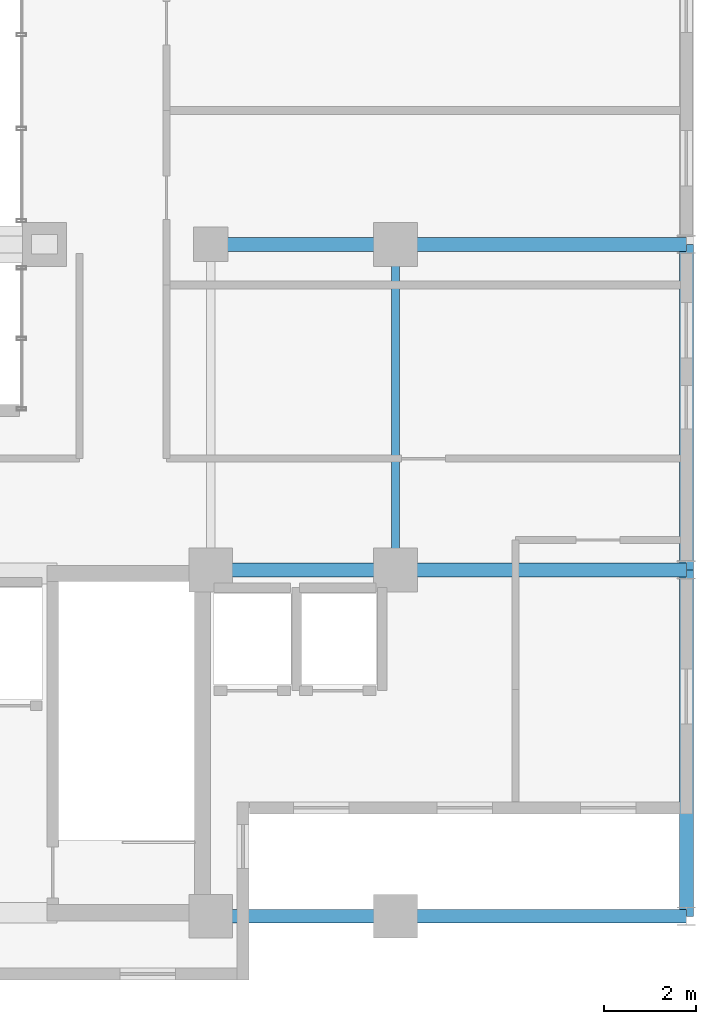
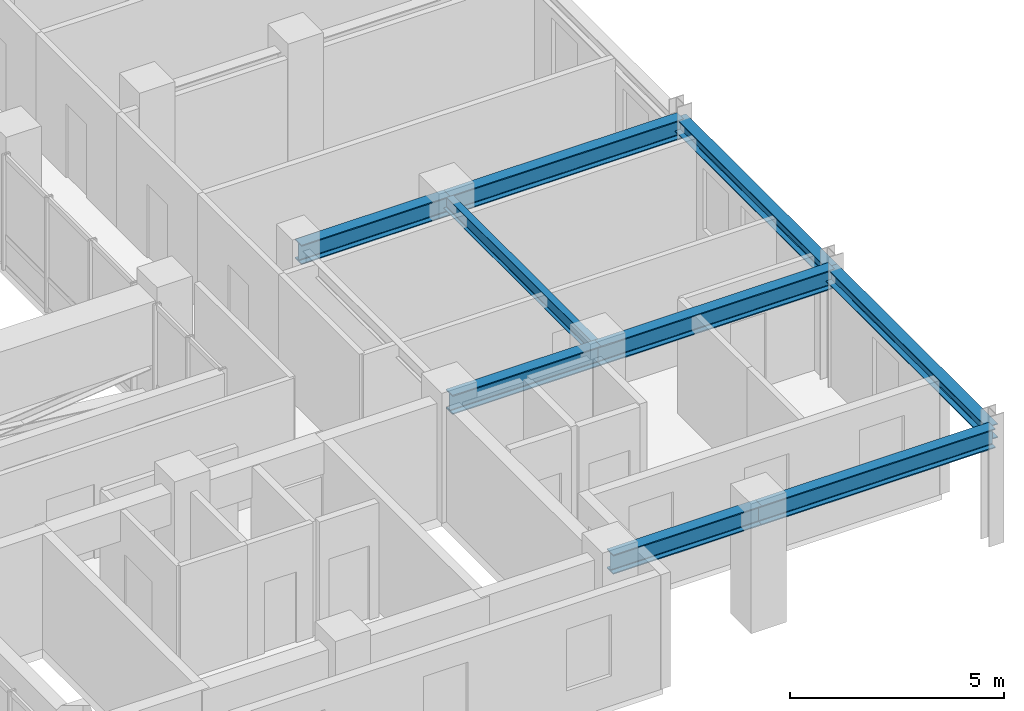
# One storey, part 9 of 23: 9 beams.
"""IFC4 building model written with IfcOpenShell, lengths in metres."""

from ifc_helpers import new_model, si_unit, direction, frame, origin, origin_2d, place, context, subcontext, project, spatial, i_section, extrude, source, transform, mapped, material, material_profile, profile_set, type_object, element, save


model = new_model("IFC4")

# Units and contexts
model_context = context("Model", 3, precision=1e-05, world=origin(), true_north=direction((0.0, 1.0)))
body_context = subcontext(model_context, "Body", "Model", "MODEL_VIEW")
ifc_project = project(units=[si_unit("LENGTHUNIT", "METRE"), si_unit("AREAUNIT", "SQUARE_METRE"), si_unit("VOLUMEUNIT", "CUBIC_METRE"), si_unit("PLANEANGLEUNIT", "RADIAN"), si_unit("MASSUNIT", "GRAM", prefix="KILO")], contexts=[model_context])

# Site, building, storey
site_placement = place(None, origin())
site = spatial("IfcSite", under=ifc_project, at=site_placement, CompositionType="ELEMENT")
building_placement = place(site_placement, origin())
building = spatial("IfcBuilding", under=site, at=building_placement, Name="Kaliganga Portal Commons", CompositionType="ELEMENT")
storey_placement = place(building_placement, frame((0.0, 0.0, 246.199951171875)))
storey = spatial("IfcBuildingStorey", under=building, at=storey_placement, Name="L63", CompositionType="ELEMENT", Elevation=246.199951171875)

# Beams
ifc_material = material(Name="Structural steel S355J2", Category="steel")
ifc_material_profile_1 = material_profile(ifc_material, i_section(OverallWidth=0.300048828125, OverallDepth=0.550048828125, WebThickness=0.014892578125, FlangeThickness=0.029052734375, FilletRadius=0.027099609375, at=origin_2d()), Name="HE 550 B")
ifc_profile_set_1 = profile_set([ifc_material_profile_1], Name="Structural steel S355J2 wide-flange")
beam_type_1 = type_object("IfcBeamType", Name="BM-GIRD-550", PredefinedType="USERDEFINED", material=ifc_profile_set_1)
shared_shape_1 = source(origin(), body_context, "Body", "SweptSolid", [
    extrude(i_section(OverallWidth=0.300048828125, OverallDepth=0.550048828125, WebThickness=0.014892578125, FlangeThickness=0.029052734375, FilletRadius=0.027099609375, at=origin_2d()), origin(), (0.0, 0.0, 1.0), 4.0),
])
for number, where, z_axis, x_axis, name in (
    (1, (50.39990234375, 7.050048828125, 3.005126953125), (1.0, 0.0, 0.0), (0.0, 1.0, 0.0), "BM G L63 BKE70 1"),
    (2, (50.39990234375, 14.550048828125, 3.005126953125), (1.0, 0.0, 0.0), (0.0, 1.0, 0.0), "BM G L63 BKE146 1"),
    (3, (50.39990234375, 21.60009765625, 3.005126953125), (1.0, 0.0, 0.0), (0.0, 1.0, 0.0), "BM G L63 BKE216 1"),
):
    element("IfcBeam", number, at=place(storey_placement, frame(where, z_axis=z_axis, x_axis=x_axis)), inside=storey, type_object=beam_type_1, Name=name, ObjectType="GIRDER", PredefinedType="USERDEFINED", context=body_context, shape_type="MappedRepresentation", body=[
        mapped(shared_shape_1, transform((0.0, 0.0, 0.0), x_axis=(1.0, 0.0, 0.0), y_axis=(0.0, 1.0, 0.0), z_axis=(0.0, 0.0, 1.0), scale=1.0)),
    ])
shared_shape_2 = source(origin(), body_context, "Body", "SweptSolid", [
    extrude(i_section(OverallWidth=0.300048828125, OverallDepth=0.550048828125, WebThickness=0.014892578125, FlangeThickness=0.029052734375, FilletRadius=0.027099609375, at=origin_2d()), origin(), (0.0, 0.0, 1.0), 6.300048828125),
])
for number, where, z_axis, x_axis, name in (
    (4, (54.39990234375, 7.050048828125, 3.005126953125), (1.0, 0.0, 0.0), (0.0, 1.0, 0.0), "BM G L63 BKE70 2"),
    (5, (54.39990234375, 14.550048828125, 3.005126953125), (1.0, 0.0, 0.0), (0.0, 1.0, 0.0), "BM G L63 BKE146 2"),
    (6, (54.39990234375, 21.60009765625, 3.005126953125), (1.0, 0.0, 0.0), (0.0, 1.0, 0.0), "BM G L63 BKE216 2"),
):
    element("IfcBeam", number, at=place(storey_placement, frame(where, z_axis=z_axis, x_axis=x_axis)), inside=storey, type_object=beam_type_1, Name=name, ObjectType="GIRDER", PredefinedType="USERDEFINED", context=body_context, shape_type="MappedRepresentation", body=[
        mapped(shared_shape_2, transform((0.0, 0.0, 0.0), x_axis=(1.0, 0.0, 0.0), y_axis=(0.0, 1.0, 0.0), z_axis=(0.0, 0.0, 1.0), scale=1.0)),
    ])
ifc_material_profile_2 = material_profile(ifc_material, i_section(OverallWidth=0.300048828125, OverallDepth=0.39990234375, WebThickness=0.013427734375, FlangeThickness=0.02392578125, FilletRadius=0.027099609375, at=origin_2d()), Name="HE 400 B")
ifc_profile_set_2 = profile_set([ifc_material_profile_2], Name="Structural steel S355J2 wide-flange")
beam_type_2 = type_object("IfcBeamType", Name="BM-SPAND-400", PredefinedType="SPANDREL", material=ifc_profile_set_2)
shared_shape_3 = source(origin(), body_context, "Body", "SweptSolid", [
    extrude(i_section(OverallWidth=0.300048828125, OverallDepth=0.39990234375, WebThickness=0.013427734375, FlangeThickness=0.02392578125, FilletRadius=0.027099609375, at=origin_2d()), origin(), (0.0, 0.0, 1.0), 7.5),
])
beam_1_placement = place(storey_placement, frame((60.699951171875, 7.050048828125, 3.080078125), z_axis=(0.0, 1.0, 0.0), x_axis=(-1.0, 0.0, 0.0)))
element("IfcBeam", 7, at=beam_1_placement, inside=storey, type_object=beam_type_2, Name="BM SP L63 BE 1", PredefinedType="SPANDREL", context=body_context, shape_type="MappedRepresentation", body=[
    mapped(shared_shape_3, transform((0.0, 0.0, 0.0), x_axis=(1.0, 0.0, 0.0), y_axis=(0.0, 1.0, 0.0), z_axis=(0.0, 0.0, 1.0), scale=1.0)),
])
shared_shape_4 = source(origin(), body_context, "Body", "SweptSolid", [
    extrude(i_section(OverallWidth=0.300048828125, OverallDepth=0.39990234375, WebThickness=0.013427734375, FlangeThickness=0.02392578125, FilletRadius=0.027099609375, at=origin_2d()), origin(), (0.0, 0.0, 1.0), 7.050048828125),
])
beam_2_placement = place(storey_placement, frame((60.699951171875, 14.550048828125, 3.080078125), z_axis=(0.0, 1.0, 0.0), x_axis=(-1.0, 0.0, 0.0)))
element("IfcBeam", 8, at=beam_2_placement, inside=storey, type_object=beam_type_2, Name="BM SP L63 BE 2", PredefinedType="SPANDREL", context=body_context, shape_type="MappedRepresentation", body=[
    mapped(shared_shape_4, transform((0.0, 0.0, 0.0), x_axis=(1.0, 0.0, 0.0), y_axis=(0.0, 1.0, 0.0), z_axis=(0.0, 0.0, 1.0), scale=1.0)),
])
ifc_material_profile_3 = material_profile(ifc_material, i_section(OverallWidth=0.179931640625, OverallDepth=0.39990234375, WebThickness=0.008544921875, FlangeThickness=0.013427734375, FilletRadius=0.02099609375, at=origin_2d()), Name="IPE 400")
ifc_profile_set_3 = profile_set([ifc_material_profile_3], Name="Structural steel S355J2 wide-flange")
beam_type_3 = type_object("IfcBeamType", Name="BM-FLR-400", PredefinedType="BEAM", material=ifc_profile_set_3)
shared_shape_5 = source(origin(), body_context, "Body", "SweptSolid", [
    extrude(i_section(OverallWidth=0.179931640625, OverallDepth=0.39990234375, WebThickness=0.008544921875, FlangeThickness=0.013427734375, FilletRadius=0.02099609375, at=origin_2d()), origin(), (0.0, 0.0, 1.0), 7.050048828125),
])
beam_3_placement = place(storey_placement, frame((54.39990234375, 14.550048828125, 3.080078125), z_axis=(0.0, 1.0, 0.0), x_axis=(-1.0, 0.0, 0.0)))
element("IfcBeam", 9, at=beam_3_placement, inside=storey, type_object=beam_type_3, Name="BM G L63 BNK544", PredefinedType="BEAM", context=body_context, shape_type="MappedRepresentation", body=[
    mapped(shared_shape_5, transform((0.0, 0.0, 0.0), x_axis=(1.0, 0.0, 0.0), y_axis=(0.0, 1.0, 0.0), z_axis=(0.0, 0.0, 1.0), scale=1.0)),
])

save(model, "model.ifc")
